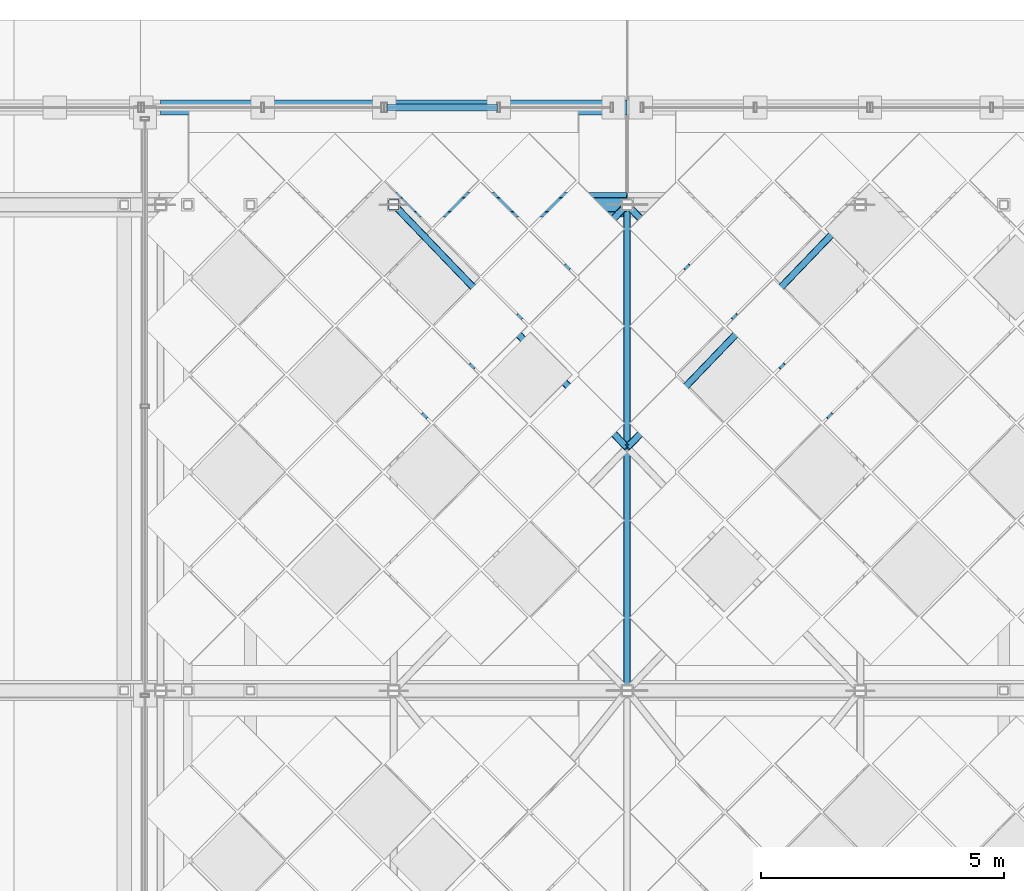
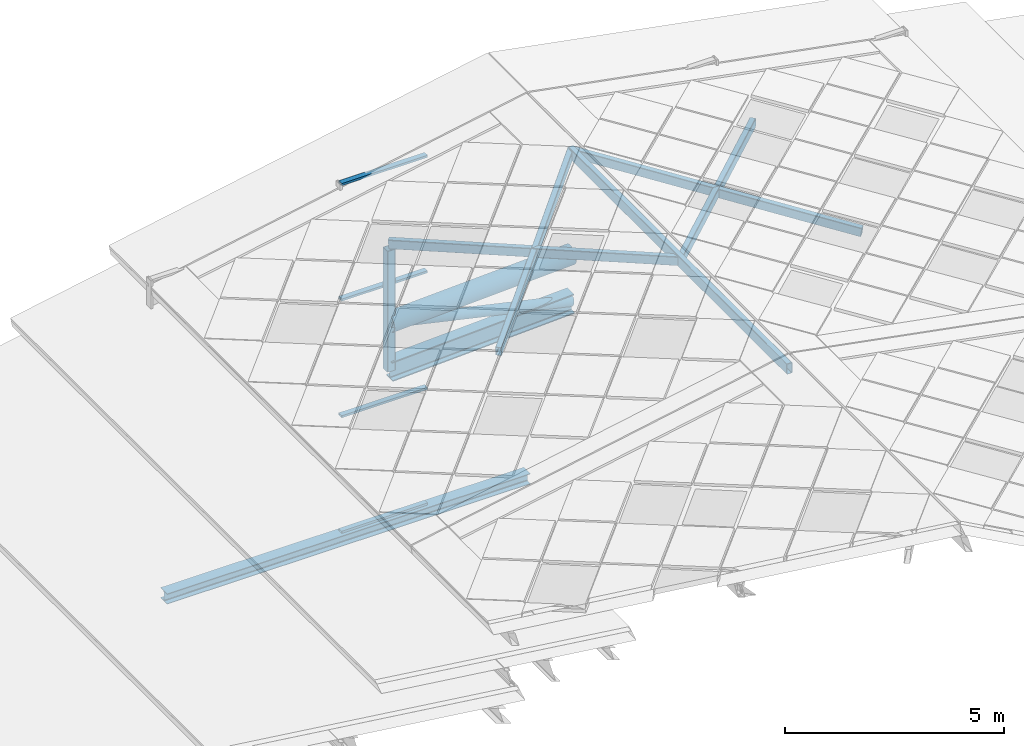
# One storey, part 36 of 117: 13 members, 1 beam, 1 element without a shape of its own.
"""IFC4 building model written with IfcOpenShell, lengths in metres."""

from ifc_helpers import new_model, si_unit, direction, frame, origin, origin_2d, place, context, subcontext, project, spatial, hollow_rectangle, hollow_circle, i_section, extrude, material, material_profile, profile_set, type_object, element, aggregate, save


model = new_model("IFC4")

# Units and contexts
model_context = context("Model", 3, precision=1e-05, world=origin(), true_north=direction((0.0, 1.0)))
body_context = subcontext(model_context, "Body", "Model", "MODEL_VIEW")
ifc_project = project(units=[si_unit("LENGTHUNIT", "METRE"), si_unit("AREAUNIT", "SQUARE_METRE"), si_unit("VOLUMEUNIT", "CUBIC_METRE"), si_unit("PLANEANGLEUNIT", "RADIAN"), si_unit("MASSUNIT", "GRAM", prefix="KILO")], contexts=[model_context])

# Site, building, storey
site_placement = place(None, origin())
site = spatial("IfcSite", under=ifc_project, at=site_placement, CompositionType="ELEMENT")
building_placement = place(site_placement, origin())
building = spatial("IfcBuilding", under=site, at=building_placement, Name="Merenkruunu Market Hall", CompositionType="ELEMENT")
storey_placement = place(building_placement, frame((0.0, 0.0, 22.800048828125)))
storey = spatial("IfcBuildingStorey", under=building, at=storey_placement, Name="RF", CompositionType="ELEMENT", Elevation=22.800048828125)

# Members
ifc_material_1 = material(Name="Steel S355ML", Category="steel")
ifc_material_profile_1 = material_profile(ifc_material_1, hollow_circle(Radius=0.25390625, WallThickness=0.02001953125, at=origin_2d()), Name="CHS 508x20")
ifc_profile_set_1 = profile_set([ifc_material_profile_1], Name="Steel S355ML")
member_type_1 = type_object("IfcMemberType", Name="Arch Truss Chord TC01", PredefinedType="CHORD", material=ifc_profile_set_1)
member_1_placement = place(storey_placement, frame((24.0, 109.60009765625, -1.66796875), z_axis=(0.998932934692, 0.0, 0.046184326211), x_axis=(0.0, 1.0, 0.0)))
element("IfcMember", 1, at=member_1_placement, inside=storey, type_object=member_type_1, Name="TRUSS-AT-G-TOP-06", PredefinedType="CHORD", context=body_context, shape_type="SweptSolid", body=[
    extrude(hollow_circle(Radius=0.25390625, WallThickness=0.02001953125, at=origin_2d()), origin(), (0.0, 0.0, 1.0), 4.80517578125),
])
ifc_material_profile_2 = material_profile(ifc_material_1, i_section(OverallWidth=0.300048828125, OverallDepth=0.550048828125, WebThickness=0.014892578125, FlangeThickness=0.029052734375, FilletRadius=0.027099609375, at=origin_2d()), Name="HEB 550")
ifc_profile_set_2 = profile_set([ifc_material_profile_2], Name="Steel S355ML")
member_type_2 = type_object("IfcMemberType", Name="Arch Truss Chord TC03", PredefinedType="CHORD", material=ifc_profile_set_2)
member_2_placement = place(storey_placement, frame((24.0, 109.60009765625, -2.968017578125), z_axis=(0.998932934692, 0.0, 0.046184326211), x_axis=(0.0, 1.0, 0.0)))
element("IfcMember", 2, at=member_2_placement, inside=storey, type_object=member_type_2, Name="TRUSS-AT-G-BOT-06", PredefinedType="CHORD", context=body_context, shape_type="SweptSolid", body=[
    extrude(i_section(OverallWidth=0.300048828125, OverallDepth=0.550048828125, WebThickness=0.014892578125, FlangeThickness=0.029052734375, FilletRadius=0.027099609375, at=origin_2d()), origin(), (0.0, 0.0, 1.0), 4.80517578125),
])

# Curtain wall, members
ifc_material_2 = material(Name="Powder-coated aluminium", Category="aluminium")
curtain_wall_type = type_object("IfcCurtainWallType", Name="Glazed Curtain Wall CW18", PredefinedType="USERDEFINED", material=ifc_material_2)
curtain_wall_placement = place(storey_placement, origin())
curtain_wall = element("IfcCurtainWall", 3, at=curtain_wall_placement, inside=storey, type_object=curtain_wall_type, Name="CW-RF-CWM03-073", ObjectType="GLAZED_FACADE", PredefinedType="USERDEFINED")
ifc_material_profile_3 = material_profile(ifc_material_2, hollow_rectangle(XDim=0.06005859375, YDim=0.139892578125, WallThickness=0.00390625, at=origin_2d()), Name="ALU 60x140x4")
ifc_profile_set_3 = profile_set([ifc_material_profile_3], Name="Powder-coated aluminium")
member_type_3 = type_object("IfcMemberType", Name="Curtain Wall Transom CWT02", PredefinedType="USERDEFINED", material=ifc_profile_set_3)
member_3_placement = place(storey_placement, frame((23.860107421875, 111.60009765625, -8.66015625), z_axis=(1.0, 0.0, 0.0), x_axis=(0.0, 0.0, 1.0)))
member_3 = element("IfcMember", 4, at=member_3_placement, type_object=member_type_3, Name="CW18 transom 1.1", ObjectType="TRANSOM", PredefinedType="USERDEFINED", context=body_context, shape_type="SweptSolid", body=[
    extrude(hollow_rectangle(XDim=0.06005859375, YDim=0.139892578125, WallThickness=0.00390625, at=origin_2d()), origin(), (0.0, 0.0, 1.0), 2.269775390625),
])
member_4_placement = place(storey_placement, frame((23.860107421875, 111.60009765625, -5.43310546875), z_axis=(1.0, 0.0, 0.0), x_axis=(0.0, 0.0, 1.0)))
member_4 = element("IfcMember", 5, at=member_4_placement, type_object=member_type_3, Name="CW18 transom 1.2", ObjectType="TRANSOM", PredefinedType="USERDEFINED", context=body_context, shape_type="SweptSolid", body=[
    extrude(hollow_rectangle(XDim=0.06005859375, YDim=0.139892578125, WallThickness=0.00390625, at=origin_2d()), origin(), (0.0, 0.0, 1.0), 2.269775390625),
])
member_5_placement = place(storey_placement, frame((23.860107421875, 111.60009765625, -2.177001953125), z_axis=(1.0, 0.0, 0.0), x_axis=(0.0, 0.0, 1.0)))
member_5 = element("IfcMember", 6, at=member_5_placement, type_object=member_type_3, Name="CW18 transom 1.3", ObjectType="TRANSOM", PredefinedType="USERDEFINED", context=body_context, shape_type="SweptSolid", body=[
    extrude(hollow_rectangle(XDim=0.06005859375, YDim=0.139892578125, WallThickness=0.00390625, at=origin_2d()), origin(), (0.0, 0.0, 1.0), 2.269775390625),
])
member_6_placement = place(storey_placement, frame((23.860107421875, 111.60009765625, 1.050048828125), z_axis=(1.0, 0.0, 0.0), x_axis=(0.0, 0.0, 1.0)))
member_6 = element("IfcMember", 7, at=member_6_placement, type_object=member_type_3, Name="CW18 transom 1.4", ObjectType="TRANSOM", PredefinedType="USERDEFINED", context=body_context, shape_type="SweptSolid", body=[
    extrude(hollow_rectangle(XDim=0.06005859375, YDim=0.139892578125, WallThickness=0.00390625, at=origin_2d()), origin(), (0.0, 0.0, 1.0), 2.269775390625),
])
aggregate(curtain_wall, [member_3, member_4, member_5, member_6])

# Members
ifc_material_profile_4 = material_profile(ifc_material_1, hollow_circle(Radius=0.136474609375, WallThickness=0.012451171875, at=origin_2d()), Name="CHS 273x12.5")
ifc_profile_set_4 = profile_set([ifc_material_profile_4], Name="Steel S355ML")
member_type_4 = type_object("IfcMemberType", Name="Diagonal Sway Brace BR02", PredefinedType="BRACE", material=ifc_profile_set_4)
member_7_placement = place(storey_placement, frame((24.0, 109.60009765625, -1.66796875), z_axis=(0.975691787326, 0.0, -0.219147293262), x_axis=(0.0, 1.0, 0.0)))
element("IfcMember", 8, at=member_7_placement, inside=storey, type_object=member_type_4, Name="TRUSS-AT-G-DIAG-06", PredefinedType="BRACE", context=body_context, shape_type="SweptSolid", body=[
    extrude(hollow_circle(Radius=0.136474609375, WallThickness=0.012451171875, at=origin_2d()), origin(), (0.0, 0.0, 1.0), 4.919677734375),
])
ifc_material_3 = material(Name="Steel S355J2", Category="steel")
ifc_material_profile_5 = material_profile(ifc_material_3, hollow_rectangle(XDim=0.219970703125, YDim=0.219970703125, WallThickness=0.012451171875, InnerFilletRadius=0.012451171875, OuterFilletRadius=0.02490234375, at=origin_2d()), Name="SHS 220x220x12.5")
ifc_profile_set_5 = profile_set([ifc_material_profile_5], Name="Steel S355J2")
member_type_5 = type_object("IfcMemberType", Name="Diagonal Sway Brace BR04", PredefinedType="BRACE", material=ifc_profile_set_5)
member_8_placement = place(storey_placement, frame((24.0, 109.60009765625, -2.968017578125), z_axis=(0.0, 0.0, 1.0), x_axis=(1.0, 0.0, 0.0)))
element("IfcMember", 9, at=member_8_placement, inside=storey, type_object=member_type_5, Name="TRUSS-AT-G-POST-05", PredefinedType="BRACE", context=body_context, shape_type="SweptSolid", body=[
    extrude(hollow_rectangle(XDim=0.219970703125, YDim=0.219970703125, WallThickness=0.012451171875, InnerFilletRadius=0.012451171875, OuterFilletRadius=0.02490234375, at=origin_2d()), origin(), (0.0, 0.0, 1.0), 3.3720703125),
])

# Beam
ifc_material_profile_6 = material_profile(ifc_material_3, i_section(OverallWidth=0.300048828125, OverallDepth=0.2900390625, WebThickness=0.008544921875, FlangeThickness=0.013916015625, FilletRadius=0.027099609375, at=origin_2d()), Name="HEA 300")
ifc_profile_set_6 = profile_set([ifc_material_profile_6], Name="Steel S355J2")
beam_type = type_object("IfcBeamType", Name="Primary Floor Girder B09", PredefinedType="BEAM", material=ifc_profile_set_6)
beam_placement = place(storey_placement, frame((19.199951171875, 111.60009765625, -8.844970703125), z_axis=(1.0, 0.0, 0.0), x_axis=(0.0, 1.0, 0.0)))
element("IfcBeam", 10, at=beam_placement, inside=storey, type_object=beam_type, Name="BM-RF-B09-1249", PredefinedType="BEAM", context=body_context, shape_type="SweptSolid", body=[
    extrude(i_section(OverallWidth=0.300048828125, OverallDepth=0.2900390625, WebThickness=0.008544921875, FlangeThickness=0.013916015625, FilletRadius=0.027099609375, at=origin_2d()), origin(), (0.0, 0.0, 1.0), 9.60009765625),
])

# Members
ifc_material_profile_7 = material_profile(ifc_material_1, hollow_rectangle(XDim=0.14990234375, YDim=0.25, WallThickness=0.010009765625, InnerFilletRadius=0.010009765625, OuterFilletRadius=0.02001953125, at=origin_2d()), Name="RHS 250x150x10")
ifc_profile_set_7 = profile_set([ifc_material_profile_7], Name="Steel S355ML")
member_type_6 = type_object("IfcMemberType", Name="Roof Purlin Rafter PR04", PredefinedType="PURLIN", material=ifc_profile_set_7)
for number, where, z_axis, x_axis, name in (
    (11, (24.0, 104.60009765625, 0.546875), (0.687051980207, 0.715671865858, 0.125592025678), (-0.721383801573, 0.692535494273, 0.0), "MEM-CROWN-DIAG-097"),
    (12, (28.800048828125, 104.60009765625, 1.42431640625), (-0.687051980207, 0.715671865858, -0.125592025678), (-0.721383801573, -0.692535494273, 0.0), "MEM-CROWN-DIAG-098"),
    (13, (33.60009765625, 104.60009765625, 0.546875), (-0.687051980207, 0.715671865858, 0.125592025678), (-0.721383801573, -0.692535494273, 0.0), "MEM-CROWN-DIAG-103"),
    (14, (28.800048828125, 104.60009765625, 1.42431640625), (0.687051980207, 0.715671865858, -0.125592025678), (-0.721383801573, 0.692535494273, 0.0), "MEM-CROWN-DIAG-104"),
):
    element("IfcMember", number, at=place(storey_placement, frame(where, z_axis=z_axis, x_axis=x_axis)), inside=storey, type_object=member_type_6, Name=name, PredefinedType="PURLIN", context=body_context, shape_type="SweptSolid", body=[
        extrude(hollow_rectangle(XDim=0.14990234375, YDim=0.25, WallThickness=0.010009765625, InnerFilletRadius=0.010009765625, OuterFilletRadius=0.02001953125, at=origin_2d()), origin(), (0.0, 0.0, 1.0), 6.986328125),
    ])
ifc_material_profile_8 = material_profile(ifc_material_1, hollow_rectangle(XDim=0.14990234375, YDim=0.300048828125, WallThickness=0.012451171875, InnerFilletRadius=0.012451171875, OuterFilletRadius=0.02490234375, at=origin_2d()), Name="RHS 300x150x12.5")
ifc_profile_set_8 = profile_set([ifc_material_profile_8], Name="Steel S355ML")
member_type_7 = type_object("IfcMemberType", Name="Roof Purlin Rafter PR05", PredefinedType="PURLIN", material=ifc_profile_set_8)
member_9_placement = place(storey_placement, frame((28.800048828125, 99.60009765625, 1.42431640625), z_axis=(0.0, 1.0, 0.0), x_axis=(-1.0, 0.0, 0.0)))
element("IfcMember", 15, at=member_9_placement, inside=storey, type_object=member_type_7, Name="MEM-CROWN-RIDGE-092", PredefinedType="PURLIN", context=body_context, shape_type="SweptSolid", body=[
    extrude(hollow_rectangle(XDim=0.14990234375, YDim=0.300048828125, WallThickness=0.012451171875, InnerFilletRadius=0.012451171875, OuterFilletRadius=0.02490234375, at=origin_2d()), origin(), (0.0, 0.0, 1.0), 10.0),
])

save(model, "model.ifc")
